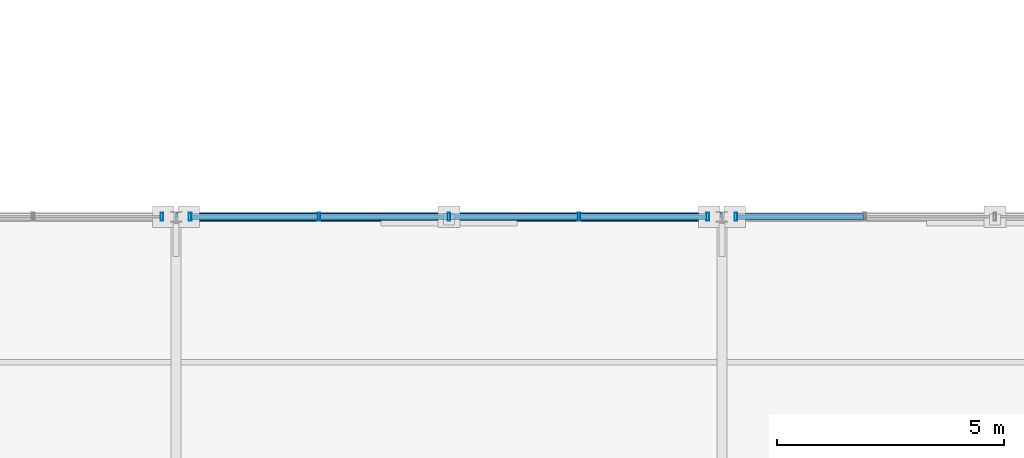
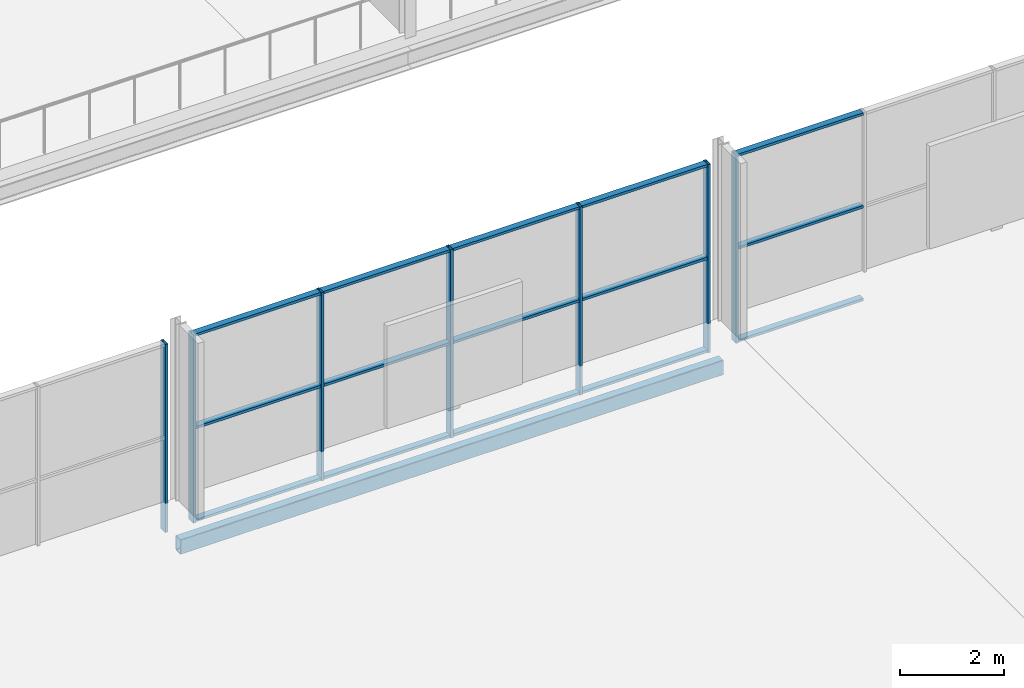
# One storey, part 52 of 159: 22 members, 1 beam, 3 elements without a shape of their own.
"""IFC4 building model written with IfcOpenShell, lengths in metres."""

from ifc_helpers import new_model, si_unit, direction, frame, origin, origin_2d, place, context, subcontext, project, spatial, hollow_rectangle, extrude, material, material_profile, profile_set, type_object, element, aggregate, save


model = new_model("IFC4")

# Units and contexts
model_context = context("Model", 3, precision=1e-05, world=origin(), true_north=direction((0.0, 1.0)))
body_context = subcontext(model_context, "Body", "Model", "MODEL_VIEW")
ifc_project = project(units=[si_unit("LENGTHUNIT", "METRE"), si_unit("AREAUNIT", "SQUARE_METRE"), si_unit("VOLUMEUNIT", "CUBIC_METRE"), si_unit("PLANEANGLEUNIT", "RADIAN"), si_unit("MASSUNIT", "GRAM", prefix="KILO")], contexts=[model_context])

# Site, building, storey
site_placement = place(None, origin())
site = spatial("IfcSite", under=ifc_project, at=site_placement, CompositionType="ELEMENT")
building_placement = place(site_placement, origin())
building = spatial("IfcBuilding", under=site, at=building_placement, Name="Merenkruunu Market Hall", CompositionType="ELEMENT")
storey_placement = place(building_placement, frame((0.0, 0.0, 5.39990234375)))
storey = spatial("IfcBuildingStorey", under=building, at=storey_placement, Name="L01", CompositionType="ELEMENT", Elevation=5.39990234375)

# Curtain wall, member
ifc_material_1 = material(Name="Powder-coated aluminium", Category="aluminium")
curtain_wall_type = type_object("IfcCurtainWallType", Name="Glazed Curtain Wall CW02", PredefinedType="USERDEFINED", material=ifc_material_1)
curtain_wall_1_placement = place(storey_placement, origin())
curtain_wall_1 = element("IfcCurtainWall", 1, at=curtain_wall_1_placement, inside=storey, type_object=curtain_wall_type, Name="CW-L01-CWM02-187", ObjectType="GLAZED_FACADE", PredefinedType="USERDEFINED")
ifc_material_profile_1 = material_profile(ifc_material_1, hollow_rectangle(XDim=0.06005859375, YDim=0.179931640625, WallThickness=0.00390625, at=origin_2d()), Name="ALU 60x180x4")
ifc_profile_set_1 = profile_set([ifc_material_profile_1], Name="Powder-coated aluminium")
member_type_1 = type_object("IfcMemberType", Name="Curtain Wall Mullion CWM02", PredefinedType="MULLION", material=ifc_profile_set_1)
member_1_placement = place(storey_placement, frame((112.489990234375, 15.60009765625, 0.0), z_axis=(0.0, 0.0, 1.0), x_axis=(-1.0, 0.0, 0.0)))
member_1 = element("IfcMember", 2, at=member_1_placement, type_object=member_type_1, Name="CW02 mullion 1", PredefinedType="MULLION", context=body_context, shape_type="SweptSolid", body=[
    extrude(hollow_rectangle(XDim=0.06005859375, YDim=0.179931640625, WallThickness=0.00390625, at=origin_2d()), origin(), (0.0, 0.0, 1.0), 4.400146484375),
])
aggregate(curtain_wall_1, [member_1])

# Curtain wall, members
curtain_wall_2_placement = place(storey_placement, origin())
curtain_wall_2 = element("IfcCurtainWall", 3, at=curtain_wall_2_placement, inside=storey, type_object=curtain_wall_type, Name="CW-L01-CWM02-191", ObjectType="GLAZED_FACADE", PredefinedType="USERDEFINED")
member_2_placement = place(storey_placement, frame((124.489990234375, 15.60009765625, 0.0), z_axis=(0.0, 0.0, 1.0), x_axis=(-1.0, 0.0, 0.0)))
member_2 = element("IfcMember", 4, at=member_2_placement, type_object=member_type_1, Name="CW02 mullion 1", PredefinedType="MULLION", context=body_context, shape_type="SweptSolid", body=[
    extrude(hollow_rectangle(XDim=0.06005859375, YDim=0.179931640625, WallThickness=0.00390625, at=origin_2d()), origin(), (0.0, 0.0, 1.0), 4.400146484375),
])
member_3_placement = place(storey_placement, frame((121.659912109375, 15.60009765625, 0.0), z_axis=(0.0, 0.0, 1.0), x_axis=(-1.0, 0.0, 0.0)))
member_3 = element("IfcMember", 5, at=member_3_placement, type_object=member_type_1, Name="CW02 mullion 2", PredefinedType="MULLION", context=body_context, shape_type="SweptSolid", body=[
    extrude(hollow_rectangle(XDim=0.06005859375, YDim=0.179931640625, WallThickness=0.00390625, at=origin_2d()), origin(), (0.0, 0.0, 1.0), 4.400146484375),
])
member_4_placement = place(storey_placement, frame((118.800048828125, 15.60009765625, 0.0), z_axis=(0.0, 0.0, 1.0), x_axis=(-1.0, 0.0, 0.0)))
member_4 = element("IfcMember", 6, at=member_4_placement, type_object=member_type_1, Name="CW02 mullion 3", PredefinedType="MULLION", context=body_context, shape_type="SweptSolid", body=[
    extrude(hollow_rectangle(XDim=0.06005859375, YDim=0.179931640625, WallThickness=0.00390625, at=origin_2d()), origin(), (0.0, 0.0, 1.0), 4.400146484375),
])
member_5_placement = place(storey_placement, frame((115.93994140625, 15.60009765625, 0.0), z_axis=(0.0, 0.0, 1.0), x_axis=(-1.0, 0.0, 0.0)))
member_5 = element("IfcMember", 7, at=member_5_placement, type_object=member_type_1, Name="CW02 mullion 4", PredefinedType="MULLION", context=body_context, shape_type="SweptSolid", body=[
    extrude(hollow_rectangle(XDim=0.06005859375, YDim=0.179931640625, WallThickness=0.00390625, at=origin_2d()), origin(), (0.0, 0.0, 1.0), 4.400146484375),
])
member_6_placement = place(storey_placement, frame((113.110107421875, 15.60009765625, 0.0), z_axis=(0.0, 0.0, 1.0), x_axis=(-1.0, 0.0, 0.0)))
member_6 = element("IfcMember", 8, at=member_6_placement, type_object=member_type_1, Name="CW02 mullion 5", PredefinedType="MULLION", context=body_context, shape_type="SweptSolid", body=[
    extrude(hollow_rectangle(XDim=0.06005859375, YDim=0.179931640625, WallThickness=0.00390625, at=origin_2d()), origin(), (0.0, 0.0, 1.0), 4.400146484375),
])

# Curtain wall, member
curtain_wall_3_placement = place(storey_placement, origin())
curtain_wall_3 = element("IfcCurtainWall", 9, at=curtain_wall_3_placement, inside=storey, type_object=curtain_wall_type, Name="CW-L01-CWM02-195", ObjectType="GLAZED_FACADE", PredefinedType="USERDEFINED")
member_7_placement = place(storey_placement, frame((125.110107421875, 15.60009765625, 0.0), z_axis=(0.0, 0.0, 1.0), x_axis=(-1.0, 0.0, 0.0)))
member_7 = element("IfcMember", 10, at=member_7_placement, type_object=member_type_1, Name="CW02 mullion 5", PredefinedType="MULLION", context=body_context, shape_type="SweptSolid", body=[
    extrude(hollow_rectangle(XDim=0.06005859375, YDim=0.179931640625, WallThickness=0.00390625, at=origin_2d()), origin(), (0.0, 0.0, 1.0), 4.400146484375),
])

# Member
ifc_material_profile_2 = material_profile(ifc_material_1, hollow_rectangle(XDim=0.06005859375, YDim=0.139892578125, WallThickness=0.00390625, at=origin_2d()), Name="ALU 60x140x4")
ifc_profile_set_2 = profile_set([ifc_material_profile_2], Name="Powder-coated aluminium")
member_type_2 = type_object("IfcMemberType", Name="Curtain Wall Transom CWT02", PredefinedType="USERDEFINED", material=ifc_profile_set_2)
member_8_placement = place(storey_placement, frame((124.4599609375, 15.60009765625, 0.030029296875), z_axis=(-1.0, 0.0, 0.0), x_axis=(0.0, 0.0, 1.0)))
member_8 = element("IfcMember", 11, at=member_8_placement, type_object=member_type_2, Name="CW02 transom 1.1", ObjectType="TRANSOM", PredefinedType="USERDEFINED", context=body_context, shape_type="SweptSolid", body=[
    extrude(hollow_rectangle(XDim=0.06005859375, YDim=0.139892578125, WallThickness=0.00390625, at=origin_2d()), origin(), (0.0, 0.0, 1.0), 2.77001953125),
])

member_9_placement = place(storey_placement, frame((124.4599609375, 15.60009765625, 2.2001953125), z_axis=(-1.0, 0.0, 0.0), x_axis=(0.0, 0.0, 1.0)))
member_9 = element("IfcMember", 12, at=member_9_placement, type_object=member_type_2, Name="CW02 transom 1.2", ObjectType="TRANSOM", PredefinedType="USERDEFINED", context=body_context, shape_type="SweptSolid", body=[
    extrude(hollow_rectangle(XDim=0.06005859375, YDim=0.139892578125, WallThickness=0.00390625, at=origin_2d()), origin(), (0.0, 0.0, 1.0), 2.77001953125),
])

member_10_placement = place(storey_placement, frame((124.4599609375, 15.60009765625, 4.3701171875), z_axis=(-1.0, 0.0, 0.0), x_axis=(0.0, 0.0, 1.0)))
member_10 = element("IfcMember", 13, at=member_10_placement, type_object=member_type_2, Name="CW02 transom 1.3", ObjectType="TRANSOM", PredefinedType="USERDEFINED", context=body_context, shape_type="SweptSolid", body=[
    extrude(hollow_rectangle(XDim=0.06005859375, YDim=0.139892578125, WallThickness=0.00390625, at=origin_2d()), origin(), (0.0, 0.0, 1.0), 2.77001953125),
])

member_11_placement = place(storey_placement, frame((121.6298828125, 15.60009765625, 0.030029296875), z_axis=(-1.0, 0.0, 0.0), x_axis=(0.0, 0.0, 1.0)))
member_11 = element("IfcMember", 14, at=member_11_placement, type_object=member_type_2, Name="CW02 transom 2.1", ObjectType="TRANSOM", PredefinedType="USERDEFINED", context=body_context, shape_type="SweptSolid", body=[
    extrude(hollow_rectangle(XDim=0.06005859375, YDim=0.139892578125, WallThickness=0.00390625, at=origin_2d()), origin(), (0.0, 0.0, 1.0), 2.7998046875),
])

member_12_placement = place(storey_placement, frame((121.6298828125, 15.60009765625, 2.2001953125), z_axis=(-1.0, 0.0, 0.0), x_axis=(0.0, 0.0, 1.0)))
member_12 = element("IfcMember", 15, at=member_12_placement, type_object=member_type_2, Name="CW02 transom 2.2", ObjectType="TRANSOM", PredefinedType="USERDEFINED", context=body_context, shape_type="SweptSolid", body=[
    extrude(hollow_rectangle(XDim=0.06005859375, YDim=0.139892578125, WallThickness=0.00390625, at=origin_2d()), origin(), (0.0, 0.0, 1.0), 2.7998046875),
])

member_13_placement = place(storey_placement, frame((121.6298828125, 15.60009765625, 4.3701171875), z_axis=(-1.0, 0.0, 0.0), x_axis=(0.0, 0.0, 1.0)))
member_13 = element("IfcMember", 16, at=member_13_placement, type_object=member_type_2, Name="CW02 transom 2.3", ObjectType="TRANSOM", PredefinedType="USERDEFINED", context=body_context, shape_type="SweptSolid", body=[
    extrude(hollow_rectangle(XDim=0.06005859375, YDim=0.139892578125, WallThickness=0.00390625, at=origin_2d()), origin(), (0.0, 0.0, 1.0), 2.7998046875),
])

member_14_placement = place(storey_placement, frame((118.77001953125, 15.60009765625, 0.030029296875), z_axis=(-1.0, 0.0, 0.0), x_axis=(0.0, 0.0, 1.0)))
member_14 = element("IfcMember", 17, at=member_14_placement, type_object=member_type_2, Name="CW02 transom 3.1", ObjectType="TRANSOM", PredefinedType="USERDEFINED", context=body_context, shape_type="SweptSolid", body=[
    extrude(hollow_rectangle(XDim=0.06005859375, YDim=0.139892578125, WallThickness=0.00390625, at=origin_2d()), origin(), (0.0, 0.0, 1.0), 2.800048828125),
])

member_15_placement = place(storey_placement, frame((118.77001953125, 15.60009765625, 2.2001953125), z_axis=(-1.0, 0.0, 0.0), x_axis=(0.0, 0.0, 1.0)))
member_15 = element("IfcMember", 18, at=member_15_placement, type_object=member_type_2, Name="CW02 transom 3.2", ObjectType="TRANSOM", PredefinedType="USERDEFINED", context=body_context, shape_type="SweptSolid", body=[
    extrude(hollow_rectangle(XDim=0.06005859375, YDim=0.139892578125, WallThickness=0.00390625, at=origin_2d()), origin(), (0.0, 0.0, 1.0), 2.800048828125),
])

member_16_placement = place(storey_placement, frame((118.77001953125, 15.60009765625, 4.3701171875), z_axis=(-1.0, 0.0, 0.0), x_axis=(0.0, 0.0, 1.0)))
member_16 = element("IfcMember", 19, at=member_16_placement, type_object=member_type_2, Name="CW02 transom 3.3", ObjectType="TRANSOM", PredefinedType="USERDEFINED", context=body_context, shape_type="SweptSolid", body=[
    extrude(hollow_rectangle(XDim=0.06005859375, YDim=0.139892578125, WallThickness=0.00390625, at=origin_2d()), origin(), (0.0, 0.0, 1.0), 2.800048828125),
])

member_17_placement = place(storey_placement, frame((115.909912109375, 15.60009765625, 0.030029296875), z_axis=(-1.0, 0.0, 0.0), x_axis=(0.0, 0.0, 1.0)))
member_17 = element("IfcMember", 20, at=member_17_placement, type_object=member_type_2, Name="CW02 transom 4.1", ObjectType="TRANSOM", PredefinedType="USERDEFINED", context=body_context, shape_type="SweptSolid", body=[
    extrude(hollow_rectangle(XDim=0.06005859375, YDim=0.139892578125, WallThickness=0.00390625, at=origin_2d()), origin(), (0.0, 0.0, 1.0), 2.77001953125),
])

member_18_placement = place(storey_placement, frame((115.909912109375, 15.60009765625, 2.2001953125), z_axis=(-1.0, 0.0, 0.0), x_axis=(0.0, 0.0, 1.0)))
member_18 = element("IfcMember", 21, at=member_18_placement, type_object=member_type_2, Name="CW02 transom 4.2", ObjectType="TRANSOM", PredefinedType="USERDEFINED", context=body_context, shape_type="SweptSolid", body=[
    extrude(hollow_rectangle(XDim=0.06005859375, YDim=0.139892578125, WallThickness=0.00390625, at=origin_2d()), origin(), (0.0, 0.0, 1.0), 2.77001953125),
])

member_19_placement = place(storey_placement, frame((115.909912109375, 15.60009765625, 4.3701171875), z_axis=(-1.0, 0.0, 0.0), x_axis=(0.0, 0.0, 1.0)))
member_19 = element("IfcMember", 22, at=member_19_placement, type_object=member_type_2, Name="CW02 transom 4.3", ObjectType="TRANSOM", PredefinedType="USERDEFINED", context=body_context, shape_type="SweptSolid", body=[
    extrude(hollow_rectangle(XDim=0.06005859375, YDim=0.139892578125, WallThickness=0.00390625, at=origin_2d()), origin(), (0.0, 0.0, 1.0), 2.77001953125),
])

aggregate(curtain_wall_2, [member_2, member_3, member_4, member_5, member_6, member_8, member_9, member_10, member_11, member_12, member_13, member_14, member_15, member_16, member_17, member_18, member_19])

member_20_placement = place(storey_placement, frame((127.909912109375, 15.60009765625, 0.030029296875), z_axis=(-1.0, 0.0, 0.0), x_axis=(0.0, 0.0, 1.0)))
member_20 = element("IfcMember", 23, at=member_20_placement, type_object=member_type_2, Name="CW02 transom 4.1", ObjectType="TRANSOM", PredefinedType="USERDEFINED", context=body_context, shape_type="SweptSolid", body=[
    extrude(hollow_rectangle(XDim=0.06005859375, YDim=0.139892578125, WallThickness=0.00390625, at=origin_2d()), origin(), (0.0, 0.0, 1.0), 2.77001953125),
])

member_21_placement = place(storey_placement, frame((127.909912109375, 15.60009765625, 2.2001953125), z_axis=(-1.0, 0.0, 0.0), x_axis=(0.0, 0.0, 1.0)))
member_21 = element("IfcMember", 24, at=member_21_placement, type_object=member_type_2, Name="CW02 transom 4.2", ObjectType="TRANSOM", PredefinedType="USERDEFINED", context=body_context, shape_type="SweptSolid", body=[
    extrude(hollow_rectangle(XDim=0.06005859375, YDim=0.139892578125, WallThickness=0.00390625, at=origin_2d()), origin(), (0.0, 0.0, 1.0), 2.77001953125),
])

member_22_placement = place(storey_placement, frame((127.909912109375, 15.60009765625, 4.3701171875), z_axis=(-1.0, 0.0, 0.0), x_axis=(0.0, 0.0, 1.0)))
member_22 = element("IfcMember", 25, at=member_22_placement, type_object=member_type_2, Name="CW02 transom 4.3", ObjectType="TRANSOM", PredefinedType="USERDEFINED", context=body_context, shape_type="SweptSolid", body=[
    extrude(hollow_rectangle(XDim=0.06005859375, YDim=0.139892578125, WallThickness=0.00390625, at=origin_2d()), origin(), (0.0, 0.0, 1.0), 2.77001953125),
])

aggregate(curtain_wall_3, [member_7, member_20, member_21, member_22])

# Beam
ifc_material_2 = material(Name="Steel S355J2", Category="steel")
ifc_material_profile_3 = material_profile(ifc_material_2, hollow_rectangle(XDim=0.199951171875, YDim=0.35009765625, WallThickness=0.012451171875, InnerFilletRadius=0.012451171875, OuterFilletRadius=0.02490234375, at=origin_2d()), Name="RHS 350x200x12.5")
ifc_profile_set_3 = profile_set([ifc_material_profile_3], Name="Steel S355J2")
beam_type = type_object("IfcBeamType", Name="Perimeter Spandrel Beam SP02", PredefinedType="SPANDREL", material=ifc_profile_set_3)
beam_placement = place(storey_placement, frame((112.800048828125, 15.60009765625, -0.454833984375), z_axis=(1.0, 0.0, 0.0), x_axis=(0.0, 1.0, 0.0)))
element("IfcBeam", 26, at=beam_placement, inside=storey, type_object=beam_type, Name="BM-L01-SP02-1197", PredefinedType="SPANDREL", context=body_context, shape_type="SweptSolid", body=[
    extrude(hollow_rectangle(XDim=0.199951171875, YDim=0.35009765625, WallThickness=0.012451171875, InnerFilletRadius=0.012451171875, OuterFilletRadius=0.02490234375, at=origin_2d()), origin(), (0.0, 0.0, 1.0), 12.0),
])

save(model, "model.ifc")
